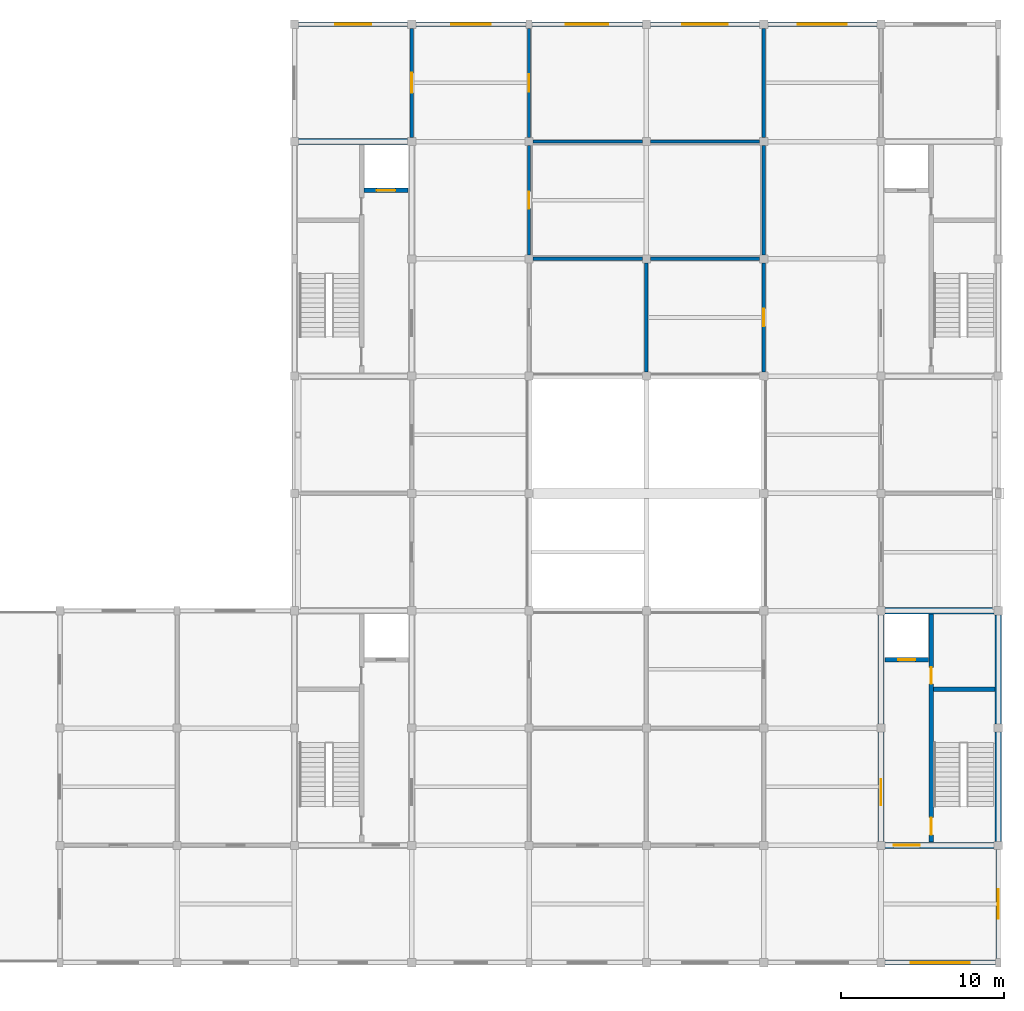
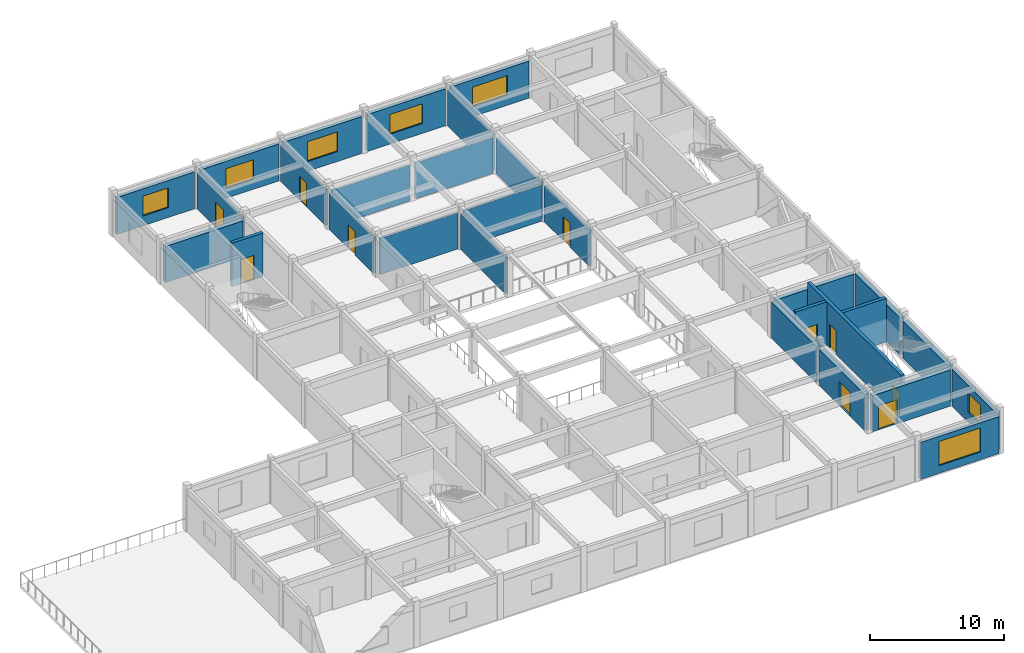
# One storey, part 5 of 7: 29 walls, 10 doors, 7 windows, 17 openings.
"""IFC4 building model written with IfcOpenShell, lengths in metres."""

from ifc_helpers import new_model, si_unit, direction, frame, frame_2d, origin, place, context, subcontext, project, spatial, rectangle, extrude, material, layer, layer_set, type_object, element, fill, save


model = new_model("IFC4")

# Units and contexts
model_context = context("Model", 3, precision=1e-05, world=origin(), true_north=direction((0.0, 1.0)))
body_context = subcontext(model_context, "Body", "Model", "MODEL_VIEW")
ifc_project = project(units=[si_unit("LENGTHUNIT", "METRE"), si_unit("AREAUNIT", "SQUARE_METRE"), si_unit("VOLUMEUNIT", "CUBIC_METRE"), si_unit("PLANEANGLEUNIT", "RADIAN"), si_unit("MASSUNIT", "GRAM", prefix="KILO")], contexts=[model_context])

# Site, building, storey
site_placement = place(None, origin())
site = spatial("IfcSite", under=ifc_project, at=site_placement, CompositionType="ELEMENT")
building_placement = place(site_placement, origin())
building = spatial("IfcBuilding", under=site, at=building_placement, Name="Cendaluz Park School", CompositionType="ELEMENT")
storey_placement = place(building_placement, frame((0.0, 0.0, 46.800048828125)))
storey = spatial("IfcBuildingStorey", under=building, at=storey_placement, Name="L11", CompositionType="ELEMENT", Elevation=46.800048828125)

# Walls
ifc_material_1 = material(Name="Gypsum Plasterboard on Cold-Formed Stud", Category="gypsum")
ifc_layer_1 = layer(ifc_material_1, 0.199951171875)
ifc_layer_set_1 = layer_set([ifc_layer_1], Name="Gypsum Plasterboard on Cold-Formed Stud")
wall_type_1 = type_object("IfcWallType", Name="W-AC20", PredefinedType="PARTITIONING", material=ifc_layer_set_1)
for number, where, z_axis, x_axis, name in (
    (1, (79.449951171875, 50.39990234375, 0.0), (0.0, 0.0, 1.0), (1.0, 0.0, 0.0), "WL-FL-BK2"),
    (2, (79.449951171875, 57.60009765625, 0.0), (0.0, 0.0, 1.0), (1.0, 0.0, 0.0), "WL-FL-BK3"),
):
    element("IfcWall", number, at=place(storey_placement, frame(where, z_axis=z_axis, x_axis=x_axis)), inside=storey, type_object=wall_type_1, Name=name, PredefinedType="PARTITIONING", context=body_context, shape_type="SweptSolid", body=[
        extrude(rectangle(XDim=6.699951171875, YDim=0.199951171875, at=frame_2d((3.35009765625, 0.0))), origin(), (0.0, 0.0, 1.0), 3.2900390625),
    ])

# Wall, opening, door
wall_1_placement = place(storey_placement, frame((79.199951171875, 50.64990234375, 0.0), z_axis=(0.0, 0.0, 1.0), x_axis=(0.0, 1.0, 0.0)))
wall_1 = element("IfcWall", 3, at=wall_1_placement, inside=storey, type_object=wall_type_1, Name="WL-FL-BK4", PredefinedType="PARTITIONING", context=body_context, shape_type="SweptSolid", body=[
    extrude(rectangle(XDim=6.7001953125, YDim=0.199951171875, at=frame_2d((3.35009765625, 0.0))), origin(), (0.0, 0.0, 1.0), 3.2900390625),
])
opening_1_placement = place(wall_1_placement, frame((2.830078125, 0.0, 0.0)))
opening_1 = element("IfcOpeningElement", 4, at=opening_1_placement, cuts=wall_1, Name="Opening DCL-03", PredefinedType="OPENING", context=body_context, shape_type="SweptSolid", body=[
    extrude(rectangle(XDim=1.0400390625, YDim=2.139892578125, at=frame_2d((0.52001953125, 1.06982421875))), frame((0.0, 0.112060546875, 0.0), z_axis=(0.0, -1.0, 0.0), x_axis=(1.0, 0.0, 0.0)), (0.0, 0.0, 1.0), 0.223876953125),
])
ifc_material_2 = material(Name="Solid Core Hardwood", Category="wood")
door_type_1 = type_object("IfcDoorType", Name="DCL-03", OperationType="NOTDEFINED", PredefinedType="DOOR", material=ifc_material_2)
door_1_placement = place(opening_1_placement, frame((1.0400390625, 0.0, 0.0), z_axis=(0.0, 0.0, 1.0), x_axis=(-1.0, 0.0, 0.0)))
door_1 = element("IfcDoor", 5, at=door_1_placement, inside=storey, type_object=door_type_1, Name="D-L11-020", OperationType="SINGLE_SWING_RIGHT", OverallHeight=2.139892578125, OverallWidth=1.0400390625, PredefinedType="DOOR", context=body_context, shape_type="SweptSolid", body=[
    extrude(rectangle(XDim=1.0400390625, YDim=2.139892578125, at=frame_2d((0.52001953125, 1.06982421875))), frame((0.0, 0.02490234375, 0.0), z_axis=(0.0, -1.0, 0.0), x_axis=(1.0, 0.0, 0.0)), (0.0, 0.0, 1.0), 0.050048828125),
])
fill(opening_1, door_1)

# Walls
for number, where, z_axis, x_axis, name in (
    (6, (86.64990234375, 50.39990234375, 0.0), (0.0, 0.0, 1.0), (1.0, 0.0, 0.0), "WL-FL-BK5"),
    (7, (86.64990234375, 57.60009765625, 0.0), (0.0, 0.0, 1.0), (1.0, 0.0, 0.0), "WL-FL-BK6"),
    (8, (93.60009765625, 50.64990234375, 0.0), (0.0, 0.0, 1.0), (0.0, 1.0, 0.0), "WL-FL-BK7"),
):
    element("IfcWall", number, at=place(storey_placement, frame(where, z_axis=z_axis, x_axis=x_axis)), inside=storey, type_object=wall_type_1, Name=name, PredefinedType="PARTITIONING", context=body_context, shape_type="SweptSolid", body=[
        extrude(rectangle(XDim=6.7001953125, YDim=0.199951171875, at=frame_2d((3.35009765625, 0.0))), origin(), (0.0, 0.0, 1.0), 3.2900390625),
    ])

# Wall, opening, door
wall_2_placement = place(storey_placement, frame((79.199951171875, 57.85009765625, 0.0), z_axis=(0.0, 0.0, 1.0), x_axis=(0.0, 1.0, 0.0)))
wall_2 = element("IfcWall", 9, at=wall_2_placement, inside=storey, type_object=wall_type_1, Name="WL-FL-BK8", PredefinedType="PARTITIONING", context=body_context, shape_type="SweptSolid", body=[
    extrude(rectangle(XDim=6.68994140625, YDim=0.199951171875, at=frame_2d((3.344970703125, 0.0))), origin(), (0.0, 0.0, 1.0), 3.2900390625),
])
opening_2_placement = place(wall_2_placement, frame((2.81494140625, 0.0, 0.0)))
opening_2 = element("IfcOpeningElement", 10, at=opening_2_placement, cuts=wall_2, Name="Opening DCL-04", PredefinedType="OPENING", context=body_context, shape_type="SweptSolid", body=[
    extrude(rectangle(XDim=1.06005859375, YDim=2.159912109375, at=frame_2d((0.530029296875, 1.080078125))), frame((0.0, 0.112060546875, 0.0), z_axis=(0.0, -1.0, 0.0), x_axis=(1.0, 0.0, 0.0)), (0.0, 0.0, 1.0), 0.223876953125),
])
door_type_2 = type_object("IfcDoorType", Name="DCL-04", OperationType="NOTDEFINED", PredefinedType="DOOR", material=ifc_material_2)
door_2_placement = place(opening_2_placement, frame((1.06005859375, 0.0, 0.0), z_axis=(0.0, 0.0, 1.0), x_axis=(-1.0, 0.0, 0.0)))
door_2 = element("IfcDoor", 11, at=door_2_placement, inside=storey, type_object=door_type_2, Name="D-L11-021", OperationType="SINGLE_SWING_LEFT", OverallHeight=2.159912109375, OverallWidth=1.06005859375, PredefinedType="DOOR", context=body_context, shape_type="SweptSolid", body=[
    extrude(rectangle(XDim=1.06005859375, YDim=2.159912109375, at=frame_2d((0.530029296875, 1.080078125))), frame((0.0, 0.02490234375, 0.0), z_axis=(0.0, -1.0, 0.0), x_axis=(1.0, 0.0, 0.0)), (0.0, 0.0, 1.0), 0.050048828125),
])
fill(opening_2, door_2)

# Wall
wall_3_placement = place(storey_placement, frame((93.60009765625, 57.85009765625, 0.0), z_axis=(0.0, 0.0, 1.0), x_axis=(0.0, 1.0, 0.0)))
element("IfcWall", 12, at=wall_3_placement, inside=storey, type_object=wall_type_1, Name="WL-FL-BK9", PredefinedType="PARTITIONING", context=body_context, shape_type="SweptSolid", body=[
    extrude(rectangle(XDim=6.699951171875, YDim=0.199951171875, at=frame_2d((3.35009765625, 0.0))), origin(), (0.0, 0.0, 1.0), 3.2900390625),
])

# Wall, opening, door
wall_4_placement = place(storey_placement, frame((72.0, 57.85009765625, 0.0), z_axis=(0.0, 0.0, 1.0), x_axis=(0.0, 1.0, 0.0)))
wall_4 = element("IfcWall", 13, at=wall_4_placement, inside=storey, type_object=wall_type_1, Name="WL-FL-BL7", PredefinedType="PARTITIONING", context=body_context, shape_type="SweptSolid", body=[
    extrude(rectangle(XDim=6.699951171875, YDim=0.199951171875, at=frame_2d((3.35009765625, 0.0))), origin(), (0.0, 0.0, 1.0), 3.2900390625),
])
opening_3_placement = place(wall_4_placement, frame((2.72998046875, 0.0, 0.0)))
opening_3 = element("IfcOpeningElement", 14, at=opening_3_placement, cuts=wall_4, Name="Opening DCL-09", PredefinedType="OPENING", context=body_context, shape_type="SweptSolid", body=[
    extrude(rectangle(XDim=1.239990234375, YDim=2.260009765625, at=frame_2d((0.6201171875, 1.1298828125))), frame((0.0, 0.112060546875, 0.0), z_axis=(0.0, -1.0, 0.0), x_axis=(1.0, 0.0, 0.0)), (0.0, 0.0, 1.0), 0.223876953125),
])
door_type_3 = type_object("IfcDoorType", Name="DCL-09", OperationType="NOTDEFINED", PredefinedType="DOOR", material=ifc_material_2)
door_3_placement = place(opening_3_placement, origin())
door_3 = element("IfcDoor", 15, at=door_3_placement, inside=storey, type_object=door_type_3, Name="D-L11-026", OperationType="SINGLE_SWING_RIGHT", OverallHeight=2.260009765625, OverallWidth=1.239990234375, PredefinedType="DOOR", context=body_context, shape_type="SweptSolid", body=[
    extrude(rectangle(XDim=1.239990234375, YDim=2.260009765625, at=frame_2d((0.6201171875, 1.1298828125))), frame((0.0, 0.02490234375, 0.0), z_axis=(0.0, -1.0, 0.0), x_axis=(1.0, 0.0, 0.0)), (0.0, 0.0, 1.0), 0.050048828125),
])
fill(opening_3, door_3)

# Wall
wall_5_placement = place(storey_placement, frame((86.39990234375, 43.449951171875, 0.0), z_axis=(0.0, 0.0, 1.0), x_axis=(0.0, 1.0, 0.0)))
element("IfcWall", 16, at=wall_5_placement, inside=storey, type_object=wall_type_1, Name="WL-FL-BM5", PredefinedType="PARTITIONING", context=body_context, shape_type="SweptSolid", body=[
    extrude(rectangle(XDim=6.699951171875, YDim=0.199951171875, at=frame_2d((3.35009765625, 0.0))), origin(), (0.0, 0.0, 1.0), 3.2900390625),
])

# Wall, opening, door
wall_6_placement = place(storey_placement, frame((93.60009765625, 43.449951171875, 0.0), z_axis=(0.0, 0.0, 1.0), x_axis=(0.0, 1.0, 0.0)))
wall_6 = element("IfcWall", 17, at=wall_6_placement, inside=storey, type_object=wall_type_1, Name="WL-FL-BN0", PredefinedType="PARTITIONING", context=body_context, shape_type="SweptSolid", body=[
    extrude(rectangle(XDim=6.699951171875, YDim=0.199951171875, at=frame_2d((3.35009765625, 0.0))), origin(), (0.0, 0.0, 1.0), 3.2900390625),
])
opening_4_placement = place(wall_6_placement, frame((2.81005859375, 0.0, 0.0)))
opening_4 = element("IfcOpeningElement", 18, at=opening_4_placement, cuts=wall_6, Name="Opening DCL-05", PredefinedType="OPENING", context=body_context, shape_type="SweptSolid", body=[
    extrude(rectangle(XDim=1.080078125, YDim=2.179931640625, at=frame_2d((0.5400390625, 1.08984375))), frame((0.0, 0.112060546875, 0.0), z_axis=(0.0, -1.0, 0.0), x_axis=(1.0, 0.0, 0.0)), (0.0, 0.0, 1.0), 0.223876953125),
])
door_type_4 = type_object("IfcDoorType", Name="DCL-05", OperationType="NOTDEFINED", PredefinedType="DOOR", material=ifc_material_2)
door_4_placement = place(opening_4_placement, origin())
door_4 = element("IfcDoor", 19, at=door_4_placement, inside=storey, type_object=door_type_4, Name="D-L11-032", OperationType="SINGLE_SWING_RIGHT", OverallHeight=2.179931640625, OverallWidth=1.080078125, PredefinedType="DOOR", context=body_context, shape_type="SweptSolid", body=[
    extrude(rectangle(XDim=1.080078125, YDim=2.179931640625, at=frame_2d((0.5400390625, 1.08984375))), frame((0.0, 0.02490234375, 0.0), z_axis=(0.0, -1.0, 0.0), x_axis=(1.0, 0.0, 0.0)), (0.0, 0.0, 1.0), 0.050048828125),
])
fill(opening_4, door_4)

# Wall, opening, window
ifc_material_3 = material(Name="Cross-laminated timber CLT C24", Category="wood")
ifc_layer_2 = layer(ifc_material_3, 0.300048828125)
ifc_layer_set_2 = layer_set([ifc_layer_2], Name="Cross-laminated timber CLT C24")
wall_type_2 = type_object("IfcWallType", Name="W-EX30", PredefinedType="SOLIDWALL", material=ifc_layer_set_2)
wall_7_placement = place(storey_placement, frame((65.050048828125, 64.800048828125, 0.0), z_axis=(0.0, 0.0, 1.0), x_axis=(1.0, 0.0, 0.0)))
wall_7 = element("IfcWall", 20, at=wall_7_placement, inside=storey, type_object=wall_type_2, Name="WL-FL-AB0", PredefinedType="SOLIDWALL", context=body_context, shape_type="SweptSolid", body=[
    extrude(rectangle(XDim=6.699951171875, YDim=0.300048828125, at=frame_2d((3.35009765625, 0.0))), origin(), (0.0, 0.0, 1.0), 3.369873046875),
])
opening_5_placement = place(wall_7_placement, frame((2.25, 0.0, 0.89990234375)))
opening_5 = element("IfcOpeningElement", 21, at=opening_5_placement, cuts=wall_7, Name="Opening WN-03", PredefinedType="OPENING", context=body_context, shape_type="SweptSolid", body=[
    extrude(rectangle(XDim=2.199951171875, YDim=1.800048828125, at=frame_2d((1.10009765625, 0.89990234375))), frame((0.0, 0.162109375, 0.0), z_axis=(0.0, -1.0, 0.0), x_axis=(1.0, 0.0, 0.0)), (0.0, 0.0, 1.0), 0.323974609375),
])
ifc_material_4 = material(Name="Tempered Low-E Double Glazing", Category="glass")
window_type_1 = type_object("IfcWindowType", Name="WN-03", PartitioningType="SINGLE_PANEL", PredefinedType="WINDOW", material=ifc_material_4)
window_1_placement = place(opening_5_placement, origin())
window_1 = element("IfcWindow", 22, at=window_1_placement, inside=storey, type_object=window_type_1, Name="WN-L11-008", OverallHeight=1.800048828125, OverallWidth=2.199951171875, PartitioningType="SINGLE_PANEL", PredefinedType="WINDOW", context=body_context, shape_type="SweptSolid", body=[
    extrude(rectangle(XDim=2.199951171875, YDim=1.800048828125, at=frame_2d((1.10009765625, 0.89990234375))), frame((0.0, 0.030029296875, 0.0), z_axis=(0.0, -1.0, 0.0), x_axis=(1.0, 0.0, 0.0)), (0.0, 0.0, 1.0), 0.06005859375),
])
fill(opening_5, window_1)

wall_8_placement = place(storey_placement, frame((72.25, 64.800048828125, 0.0), z_axis=(0.0, 0.0, 1.0), x_axis=(1.0, 0.0, 0.0)))
wall_8 = element("IfcWall", 23, at=wall_8_placement, inside=storey, type_object=wall_type_2, Name="WL-FL-AB3", PredefinedType="SOLIDWALL", context=body_context, shape_type="SweptSolid", body=[
    extrude(rectangle(XDim=6.77001953125, YDim=0.300048828125, at=frame_2d((3.385009765625, 0.0))), origin(), (0.0, 0.0, 1.0), 3.369873046875),
])
opening_6_placement = place(wall_8_placement, frame((2.18505859375, 0.0, 0.89990234375)))
opening_6 = element("IfcOpeningElement", 24, at=opening_6_placement, cuts=wall_8, Name="Opening WN-04", PredefinedType="OPENING", context=body_context, shape_type="SweptSolid", body=[
    extrude(rectangle(XDim=2.39990234375, YDim=1.800048828125, at=frame_2d((1.199951171875, 0.89990234375))), frame((0.0, 0.162109375, 0.0), z_axis=(0.0, -1.0, 0.0), x_axis=(1.0, 0.0, 0.0)), (0.0, 0.0, 1.0), 0.323974609375),
])
window_type_2 = type_object("IfcWindowType", Name="WN-04", PartitioningType="SINGLE_PANEL", PredefinedType="WINDOW", material=ifc_material_4)
window_2_placement = place(opening_6_placement, origin())
window_2 = element("IfcWindow", 25, at=window_2_placement, inside=storey, type_object=window_type_2, Name="WN-L11-011", OverallHeight=1.800048828125, OverallWidth=2.39990234375, PartitioningType="SINGLE_PANEL", PredefinedType="WINDOW", context=body_context, shape_type="SweptSolid", body=[
    extrude(rectangle(XDim=2.39990234375, YDim=1.800048828125, at=frame_2d((1.199951171875, 0.89990234375))), frame((0.0, 0.030029296875, 0.0), z_axis=(0.0, -1.0, 0.0), x_axis=(1.0, 0.0, 0.0)), (0.0, 0.0, 1.0), 0.06005859375),
])
fill(opening_6, window_2)

wall_9_placement = place(storey_placement, frame((79.3798828125, 64.800048828125, 0.0), z_axis=(0.0, 0.0, 1.0), x_axis=(1.0, 0.0, 0.0)))
wall_9 = element("IfcWall", 26, at=wall_9_placement, inside=storey, type_object=wall_type_2, Name="WL-FL-AB5", PredefinedType="SOLIDWALL", context=body_context, shape_type="SweptSolid", body=[
    extrude(rectangle(XDim=6.77001953125, YDim=0.300048828125, at=frame_2d((3.385009765625, 0.0))), origin(), (0.0, 0.0, 1.0), 3.369873046875),
])
opening_7_placement = place(wall_9_placement, frame((2.0849609375, 0.0, 0.89990234375)))
opening_7 = element("IfcOpeningElement", 27, at=opening_7_placement, cuts=wall_9, Name="Opening WN-05", PredefinedType="OPENING", context=body_context, shape_type="SweptSolid", body=[
    extrude(rectangle(XDim=2.60009765625, YDim=1.800048828125, at=frame_2d((1.300048828125, 0.89990234375))), frame((0.0, 0.162109375, 0.0), z_axis=(0.0, -1.0, 0.0), x_axis=(1.0, 0.0, 0.0)), (0.0, 0.0, 1.0), 0.323974609375),
])
window_type_3 = type_object("IfcWindowType", Name="WN-05", PartitioningType="SINGLE_PANEL", PredefinedType="WINDOW", material=ifc_material_4)
window_3_placement = place(opening_7_placement, origin())
window_3 = element("IfcWindow", 28, at=window_3_placement, inside=storey, type_object=window_type_3, Name="WN-L11-013", OverallHeight=1.800048828125, OverallWidth=2.60009765625, PartitioningType="SINGLE_PANEL", PredefinedType="WINDOW", context=body_context, shape_type="SweptSolid", body=[
    extrude(rectangle(XDim=2.60009765625, YDim=1.800048828125, at=frame_2d((1.300048828125, 0.89990234375))), frame((0.0, 0.030029296875, 0.0), z_axis=(0.0, -1.0, 0.0), x_axis=(1.0, 0.0, 0.0)), (0.0, 0.0, 1.0), 0.06005859375),
])
fill(opening_7, window_3)

wall_10_placement = place(storey_placement, frame((86.64990234375, 64.800048828125, 0.0), z_axis=(0.0, 0.0, 1.0), x_axis=(1.0, 0.0, 0.0)))
wall_10 = element("IfcWall", 29, at=wall_10_placement, inside=storey, type_object=wall_type_2, Name="WL-FL-AB7", PredefinedType="SOLIDWALL", context=body_context, shape_type="SweptSolid", body=[
    extrude(rectangle(XDim=6.7001953125, YDim=0.300048828125, at=frame_2d((3.35009765625, 0.0))), origin(), (0.0, 0.0, 1.0), 3.369873046875),
])
opening_8_placement = place(wall_10_placement, frame((1.949951171875, 0.0, 0.89990234375)))
opening_8 = element("IfcOpeningElement", 30, at=opening_8_placement, cuts=wall_10, Name="Opening WN-06", PredefinedType="OPENING", context=body_context, shape_type="SweptSolid", body=[
    extrude(rectangle(XDim=2.800048828125, YDim=1.800048828125, at=frame_2d((1.39990234375, 0.89990234375))), frame((0.0, 0.162109375, 0.0), z_axis=(0.0, -1.0, 0.0), x_axis=(1.0, 0.0, 0.0)), (0.0, 0.0, 1.0), 0.323974609375),
])
window_type_4 = type_object("IfcWindowType", Name="WN-06", PartitioningType="SINGLE_PANEL", PredefinedType="WINDOW", material=ifc_material_4)
window_4_placement = place(opening_8_placement, origin())
window_4 = element("IfcWindow", 31, at=window_4_placement, inside=storey, type_object=window_type_4, Name="WN-L11-015", OverallHeight=1.800048828125, OverallWidth=2.800048828125, PartitioningType="SINGLE_PANEL", PredefinedType="WINDOW", context=body_context, shape_type="SweptSolid", body=[
    extrude(rectangle(XDim=2.800048828125, YDim=1.800048828125, at=frame_2d((1.39990234375, 0.89990234375))), frame((0.0, 0.030029296875, 0.0), z_axis=(0.0, -1.0, 0.0), x_axis=(1.0, 0.0, 0.0)), (0.0, 0.0, 1.0), 0.06005859375),
])
fill(opening_8, window_4)

wall_11_placement = place(storey_placement, frame((93.85009765625, 64.800048828125, 0.0), z_axis=(0.0, 0.0, 1.0), x_axis=(1.0, 0.0, 0.0)))
wall_11 = element("IfcWall", 32, at=wall_11_placement, inside=storey, type_object=wall_type_2, Name="WL-FL-AB9", PredefinedType="SOLIDWALL", context=body_context, shape_type="SweptSolid", body=[
    extrude(rectangle(XDim=6.699951171875, YDim=0.300048828125, at=frame_2d((3.35009765625, 0.0))), origin(), (0.0, 0.0, 1.0), 3.369873046875),
])
opening_9_placement = place(wall_11_placement, frame((1.85009765625, 0.0, 0.89990234375)))
opening_9 = element("IfcOpeningElement", 33, at=opening_9_placement, cuts=wall_11, Name="Opening WN-07", PredefinedType="OPENING", context=body_context, shape_type="SweptSolid", body=[
    extrude(rectangle(XDim=3.0, YDim=1.800048828125, at=frame_2d((1.5, 0.89990234375))), frame((0.0, 0.162109375, 0.0), z_axis=(0.0, -1.0, 0.0), x_axis=(1.0, 0.0, 0.0)), (0.0, 0.0, 1.0), 0.323974609375),
])
window_type_5 = type_object("IfcWindowType", Name="WN-07", PartitioningType="SINGLE_PANEL", PredefinedType="WINDOW", material=ifc_material_4)
window_5_placement = place(opening_9_placement, origin())
window_5 = element("IfcWindow", 34, at=window_5_placement, inside=storey, type_object=window_type_5, Name="WN-L11-017", OverallHeight=1.800048828125, OverallWidth=3.0, PartitioningType="SINGLE_PANEL", PredefinedType="WINDOW", context=body_context, shape_type="SweptSolid", body=[
    extrude(rectangle(XDim=3.0, YDim=1.800048828125, at=frame_2d((1.5, 0.89990234375))), frame((0.0, 0.030029296875, 0.0), z_axis=(0.0, -1.0, 0.0), x_axis=(1.0, 0.0, 0.0)), (0.0, 0.0, 1.0), 0.06005859375),
])
fill(opening_9, window_5)

wall_12_placement = place(storey_placement, frame((101.050048828125, 7.199951171875, 0.0), z_axis=(0.0, 0.0, 1.0), x_axis=(1.0, 0.0, 0.0)))
wall_12 = element("IfcWall", 35, at=wall_12_placement, inside=storey, type_object=wall_type_2, Name="WL-FL-AC0", PredefinedType="SOLIDWALL", context=body_context, shape_type="SweptSolid", body=[
    extrude(rectangle(XDim=6.77001953125, YDim=0.300048828125, at=frame_2d((3.385009765625, 0.0))), origin(), (0.0, 0.0, 1.0), 3.369873046875),
])
opening_10_placement = place(wall_12_placement, frame((1.5849609375, 0.0, 0.699951171875)))
opening_10 = element("IfcOpeningElement", 36, at=opening_10_placement, cuts=wall_12, Name="Opening WN-26", PredefinedType="OPENING", context=body_context, shape_type="SweptSolid", body=[
    extrude(rectangle(XDim=3.60009765625, YDim=2.199951171875, at=frame_2d((1.800048828125, 1.10009765625))), frame((0.0, 0.162109375, 0.0), z_axis=(0.0, -1.0, 0.0), x_axis=(1.0, 0.0, 0.0)), (0.0, 0.0, 1.0), 0.323974609375),
])
window_type_6 = type_object("IfcWindowType", Name="WN-26", PartitioningType="SINGLE_PANEL", PredefinedType="WINDOW", material=ifc_material_4)
window_6_placement = place(opening_10_placement, origin())
window_6 = element("IfcWindow", 37, at=window_6_placement, inside=storey, type_object=window_type_6, Name="WN-L11-018", OverallHeight=2.199951171875, OverallWidth=3.60009765625, PartitioningType="SINGLE_PANEL", PredefinedType="WINDOW", context=body_context, shape_type="SweptSolid", body=[
    extrude(rectangle(XDim=3.60009765625, YDim=2.199951171875, at=frame_2d((1.800048828125, 1.10009765625))), frame((0.0, 0.030029296875, 0.0), z_axis=(0.0, -1.0, 0.0), x_axis=(1.0, 0.0, 0.0)), (0.0, 0.0, 1.0), 0.06005859375),
])
fill(opening_10, window_6)

wall_13_placement = place(storey_placement, frame((108.0, 7.4599609375, 0.0), z_axis=(0.0, 0.0, 1.0), x_axis=(0.0, 1.0, 0.0)))
wall_13 = element("IfcWall", 38, at=wall_13_placement, inside=storey, type_object=wall_type_2, Name="WL-FL-AC1", PredefinedType="SOLIDWALL", context=body_context, shape_type="SweptSolid", body=[
    extrude(rectangle(XDim=6.68994140625, YDim=0.300048828125, at=frame_2d((3.344970703125, 0.0))), origin(), (0.0, 0.0, 1.0), 3.369873046875),
])
opening_11_placement = place(wall_13_placement, frame((2.445068359375, 0.0, 0.89990234375)))
opening_11 = element("IfcOpeningElement", 39, at=opening_11_placement, cuts=wall_13, Name="Opening WN-01", PredefinedType="OPENING", context=body_context, shape_type="SweptSolid", body=[
    extrude(rectangle(XDim=1.800048828125, YDim=1.800048828125, at=frame_2d((0.89990234375, 0.89990234375))), frame((0.0, 0.162109375, 0.0), z_axis=(0.0, -1.0, 0.0), x_axis=(1.0, 0.0, 0.0)), (0.0, 0.0, 1.0), 0.323974609375),
])
window_type_7 = type_object("IfcWindowType", Name="WN-01", PartitioningType="SINGLE_PANEL", PredefinedType="WINDOW", material=ifc_material_4)
window_7_placement = place(opening_11_placement, origin())
window_7 = element("IfcWindow", 40, at=window_7_placement, inside=storey, type_object=window_type_7, Name="WN-L11-019", OverallHeight=1.800048828125, OverallWidth=1.800048828125, PartitioningType="SINGLE_PANEL", PredefinedType="WINDOW", context=body_context, shape_type="SweptSolid", body=[
    extrude(rectangle(XDim=1.800048828125, YDim=1.800048828125, at=frame_2d((0.89990234375, 0.89990234375))), frame((0.0, 0.030029296875, 0.0), z_axis=(0.0, -1.0, 0.0), x_axis=(1.0, 0.0, 0.0)), (0.0, 0.0, 1.0), 0.06005859375),
])
fill(opening_11, window_7)

# Wall, openings, doors
ifc_material_5 = material(Name="Concrete C40/50", Category="concrete")
ifc_layer_3 = layer(ifc_material_5, 0.280029296875)
ifc_layer_set_3 = layer_set([ifc_layer_3], Name="Concrete C40/50")
wall_type_3 = type_object("IfcWallType", Name="W-FW28", PredefinedType="SHEAR", material=ifc_layer_set_3)
wall_14_placement = place(storey_placement, frame((103.8798828125, 14.60009765625, 0.0), z_axis=(0.0, 0.0, 1.0), x_axis=(0.0, 1.0, 0.0)))
wall_14 = element("IfcWall", 41, at=wall_14_placement, inside=storey, type_object=wall_type_3, Name="WL-FL-BI1", PredefinedType="SHEAR", context=body_context, shape_type="SweptSolid", body=[
    extrude(rectangle(XDim=14.0, YDim=0.280029296875, at=frame_2d((7.0, 0.0))), origin(), (0.0, 0.0, 1.0), 3.969970703125),
])
opening_12_placement = place(wall_14_placement, frame((0.449951171875, 0.0, 0.0)))
opening_12 = element("IfcOpeningElement", 42, at=opening_12_placement, cuts=wall_14, Name="Opening DST-02", PredefinedType="OPENING", context=body_context, shape_type="SweptSolid", body=[
    extrude(rectangle(XDim=1.050048828125, YDim=2.14990234375, at=frame_2d((0.52490234375, 1.074951171875))), frame((0.0, 0.152099609375, 0.0), z_axis=(0.0, -1.0, 0.0), x_axis=(1.0, 0.0, 0.0)), (0.0, 0.0, 1.0), 0.303955078125),
])
opening_13_placement = place(wall_14_placement, frame((9.719970703125, 0.0, 0.0)))
opening_13 = element("IfcOpeningElement", 43, at=opening_13_placement, cuts=wall_14, Name="Opening DFC-01", PredefinedType="OPENING", context=body_context, shape_type="SweptSolid", body=[
    extrude(rectangle(XDim=1.0, YDim=2.14990234375, at=frame_2d((0.5, 1.074951171875))), frame((0.0, 0.152099609375, 0.0), z_axis=(0.0, -1.0, 0.0), x_axis=(1.0, 0.0, 0.0)), (0.0, 0.0, 1.0), 0.303955078125),
])
door_type_5 = type_object("IfcDoorType", Name="DFC-01", OperationType="NOTDEFINED", PredefinedType="DOOR", material=ifc_material_2)
door_5_placement = place(opening_13_placement, frame((1.0, 0.0, 0.0), z_axis=(0.0, 0.0, 1.0), x_axis=(-1.0, 0.0, 0.0)))
door_5 = element("IfcDoor", 44, at=door_5_placement, inside=storey, type_object=door_type_5, Name="D-L11-010", OperationType="SINGLE_SWING_LEFT", OverallHeight=2.14990234375, OverallWidth=1.0, PredefinedType="DOOR", context=body_context, shape_type="SweptSolid", body=[
    extrude(rectangle(XDim=1.0, YDim=2.14990234375, at=frame_2d((0.5, 1.074951171875))), frame((0.0, 0.02490234375, 0.0), z_axis=(0.0, -1.0, 0.0), x_axis=(1.0, 0.0, 0.0)), (0.0, 0.0, 1.0), 0.050048828125),
])
fill(opening_13, door_5)
door_type_6 = type_object("IfcDoorType", Name="DST-02", OperationType="NOTDEFINED", PredefinedType="DOOR", material=ifc_material_2)
door_6_placement = place(opening_12_placement, frame((1.050048828125, 0.0, 0.0), z_axis=(0.0, 0.0, 1.0), x_axis=(-1.0, 0.0, 0.0)))
door_6 = element("IfcDoor", 45, at=door_6_placement, inside=storey, type_object=door_type_6, Name="D-L11-009", OperationType="SINGLE_SWING_RIGHT", OverallHeight=2.14990234375, OverallWidth=1.050048828125, PredefinedType="DOOR", context=body_context, shape_type="SweptSolid", body=[
    extrude(rectangle(XDim=1.050048828125, YDim=2.14990234375, at=frame_2d((0.52490234375, 1.074951171875))), frame((0.0, 0.02490234375, 0.0), z_axis=(0.0, -1.0, 0.0), x_axis=(1.0, 0.0, 0.0)), (0.0, 0.0, 1.0), 0.050048828125),
])
fill(opening_12, door_6)

# Wall
wall_15_placement = place(storey_placement, frame((104.02001953125, 23.97998046875, 0.0), z_axis=(0.0, 0.0, 1.0), x_axis=(1.0, 0.0, 0.0)))
element("IfcWall", 46, at=wall_15_placement, inside=storey, type_object=wall_type_3, Name="WL-FL-BI2", PredefinedType="SHEAR", context=body_context, shape_type="SweptSolid", body=[
    extrude(rectangle(XDim=3.780029296875, YDim=0.280029296875, at=frame_2d((1.89013671875, 0.0))), origin(), (0.0, 0.0, 1.0), 3.969970703125),
])

# Wall, opening, door
wall_16_placement = place(storey_placement, frame((101.0400390625, 25.800048828125, 0.0), z_axis=(0.0, 0.0, 1.0), x_axis=(1.0, 0.0, 0.0)))
wall_16 = element("IfcWall", 47, at=wall_16_placement, inside=storey, type_object=wall_type_3, Name="WL-FL-BI3", PredefinedType="SHEAR", context=body_context, shape_type="SweptSolid", body=[
    extrude(rectangle(XDim=2.679931640625, YDim=0.280029296875, at=frame_2d((1.33984375, 0.0))), origin(), (0.0, 0.0, 1.0), 3.969970703125),
])
opening_14_placement = place(wall_16_placement, frame((0.81494140625, 0.0, 0.0)))
opening_14 = element("IfcOpeningElement", 48, at=opening_14_placement, cuts=wall_16, Name="Opening LD-02", PredefinedType="OPENING", context=body_context, shape_type="SweptSolid", body=[
    extrude(rectangle(XDim=1.050048828125, YDim=2.199951171875, at=frame_2d((0.52490234375, 1.10009765625))), frame((0.0, 0.152099609375, 0.0), z_axis=(0.0, -1.0, 0.0), x_axis=(1.0, 0.0, 0.0)), (0.0, 0.0, 1.0), 0.303955078125),
])
ifc_material_6 = material(Name="Stainless Steel 316L", Category="steel")
door_type_7 = type_object("IfcDoorType", Name="LD-02", OperationType="DOUBLE_DOOR_SLIDING", PredefinedType="DOOR", material=ifc_material_6)
door_7_placement = place(opening_14_placement, frame((1.050048828125, 0.0, 0.0), z_axis=(0.0, 0.0, 1.0), x_axis=(-1.0, 0.0, 0.0)))
door_7 = element("IfcDoor", 49, at=door_7_placement, inside=storey, type_object=door_type_7, Name="D-L11-011", OperationType="DOUBLE_DOOR_SLIDING", OverallHeight=2.199951171875, OverallWidth=1.050048828125, PredefinedType="DOOR", context=body_context, shape_type="SweptSolid", body=[
    extrude(rectangle(XDim=1.050048828125, YDim=2.199951171875, at=frame_2d((0.52490234375, 1.10009765625))), frame((0.0, 0.02490234375, 0.0), z_axis=(0.0, -1.0, 0.0), x_axis=(1.0, 0.0, 0.0)), (0.0, 0.0, 1.0), 0.050048828125),
])
fill(opening_14, door_7)

wall_17_placement = place(storey_placement, frame((69.080078125, 54.60009765625, 0.0), z_axis=(0.0, 0.0, 1.0), x_axis=(1.0, 0.0, 0.0)))
wall_17 = element("IfcWall", 50, at=wall_17_placement, inside=storey, type_object=wall_type_3, Name="WL-FL-BJ2", PredefinedType="SHEAR", context=body_context, shape_type="SweptSolid", body=[
    extrude(rectangle(XDim=2.679931640625, YDim=0.280029296875, at=frame_2d((1.33984375, 0.0))), origin(), (0.0, 0.0, 1.0), 3.969970703125),
])
opening_15_placement = place(wall_17_placement, frame((0.764892578125, 0.0, 0.0)))
opening_15 = element("IfcOpeningElement", 51, at=opening_15_placement, cuts=wall_17, Name="Opening LD-01", PredefinedType="OPENING", context=body_context, shape_type="SweptSolid", body=[
    extrude(rectangle(XDim=1.14990234375, YDim=2.199951171875, at=frame_2d((0.574951171875, 1.10009765625))), frame((0.0, 0.152099609375, 0.0), z_axis=(0.0, -1.0, 0.0), x_axis=(1.0, 0.0, 0.0)), (0.0, 0.0, 1.0), 0.303955078125),
])
door_type_8 = type_object("IfcDoorType", Name="LD-01", OperationType="DOUBLE_DOOR_SLIDING", PredefinedType="DOOR", material=ifc_material_6)
door_8_placement = place(opening_15_placement, frame((1.14990234375, 0.0, 0.0), z_axis=(0.0, 0.0, 1.0), x_axis=(-1.0, 0.0, 0.0)))
door_8 = element("IfcDoor", 52, at=door_8_placement, inside=storey, type_object=door_type_8, Name="D-L11-015", OperationType="DOUBLE_DOOR_SLIDING", OverallHeight=2.199951171875, OverallWidth=1.14990234375, PredefinedType="DOOR", context=body_context, shape_type="SweptSolid", body=[
    extrude(rectangle(XDim=1.14990234375, YDim=2.199951171875, at=frame_2d((0.574951171875, 1.10009765625))), frame((0.0, 0.02490234375, 0.0), z_axis=(0.0, -1.0, 0.0), x_axis=(1.0, 0.0, 0.0)), (0.0, 0.0, 1.0), 0.050048828125),
])
fill(opening_15, door_8)

ifc_layer_4 = layer(ifc_material_5, 0.3798828125)
ifc_layer_set_4 = layer_set([ifc_layer_4], Name="Concrete C40/50")
wall_type_4 = type_object("IfcWallType", Name="W-SH38", PredefinedType="SHEAR", material=ifc_layer_set_4)
wall_18_placement = place(storey_placement, frame((100.800048828125, 14.64990234375, 0.0), z_axis=(0.0, 0.0, 1.0), x_axis=(0.0, 1.0, 0.0)))
wall_18 = element("IfcWall", 53, at=wall_18_placement, inside=storey, type_object=wall_type_4, Name="WL-FL-BH5", PredefinedType="SHEAR", context=body_context, shape_type="SweptSolid", body=[
    extrude(rectangle(XDim=6.7001953125, YDim=0.3798828125, at=frame_2d((3.35009765625, 0.0))), origin(), (0.0, 0.0, 1.0), 3.2900390625),
])
opening_16_placement = place(wall_18_placement, frame((2.199951171875, 0.0, 0.0)))
opening_16 = element("IfcOpeningElement", 54, at=opening_16_placement, cuts=wall_18, Name="Opening DLB-01", PredefinedType="OPENING", context=body_context, shape_type="SweptSolid", body=[
    extrude(rectangle(XDim=1.60009765625, YDim=2.199951171875, at=frame_2d((0.800048828125, 1.10009765625))), frame((0.0, 0.201904296875, 0.0), z_axis=(0.0, -1.0, 0.0), x_axis=(1.0, 0.0, 0.0)), (0.0, 0.0, 1.0), 0.40380859375),
])
door_type_9 = type_object("IfcDoorType", Name="DLB-01", OperationType="DOUBLE_DOOR_SINGLE_SWING", PredefinedType="DOOR", material=ifc_material_2)
door_9_placement = place(opening_16_placement, frame((1.60009765625, 0.0, 0.0), z_axis=(0.0, 0.0, 1.0), x_axis=(-1.0, 0.0, 0.0)))
door_9 = element("IfcDoor", 55, at=door_9_placement, inside=storey, type_object=door_type_9, Name="D-L11-007", OperationType="DOUBLE_DOOR_SINGLE_SWING", OverallHeight=2.199951171875, OverallWidth=1.60009765625, PredefinedType="DOOR", context=body_context, shape_type="SweptSolid", body=[
    extrude(rectangle(XDim=1.60009765625, YDim=2.199951171875, at=frame_2d((0.800048828125, 1.10009765625))), frame((0.0, 0.02490234375, 0.0), z_axis=(0.0, -1.0, 0.0), x_axis=(1.0, 0.0, 0.0)), (0.0, 0.0, 1.0), 0.050048828125),
])
fill(opening_16, door_9)

# Walls
wall_19_placement = place(storey_placement, frame((100.800048828125, 21.85009765625, 0.0), z_axis=(0.0, 0.0, 1.0), x_axis=(0.0, 1.0, 0.0)))
element("IfcWall", 56, at=wall_19_placement, inside=storey, type_object=wall_type_4, Name="WL-FL-BH6", PredefinedType="SHEAR", context=body_context, shape_type="SweptSolid", body=[
    extrude(rectangle(XDim=6.699951171875, YDim=0.3798828125, at=frame_2d((3.35009765625, 0.0))), origin(), (0.0, 0.0, 1.0), 3.2900390625),
])
wall_20_placement = place(storey_placement, frame((108.0, 14.64990234375, 0.0), z_axis=(0.0, 0.0, 1.0), x_axis=(0.0, 1.0, 0.0)))
element("IfcWall", 57, at=wall_20_placement, inside=storey, type_object=wall_type_4, Name="WL-FL-BH7", PredefinedType="SHEAR", context=body_context, shape_type="SweptSolid", body=[
    extrude(rectangle(XDim=6.7001953125, YDim=0.3798828125, at=frame_2d((3.35009765625, 0.0))), origin(), (0.0, 0.0, 1.0), 3.369873046875),
])
wall_21_placement = place(storey_placement, frame((108.0, 21.85009765625, 0.0), z_axis=(0.0, 0.0, 1.0), x_axis=(0.0, 1.0, 0.0)))
element("IfcWall", 58, at=wall_21_placement, inside=storey, type_object=wall_type_4, Name="WL-FL-BH8", PredefinedType="SHEAR", context=body_context, shape_type="SweptSolid", body=[
    extrude(rectangle(XDim=6.699951171875, YDim=0.3798828125, at=frame_2d((3.35009765625, 0.0))), origin(), (0.0, 0.0, 1.0), 3.369873046875),
])

# Wall, opening, door
wall_22_placement = place(storey_placement, frame((101.050048828125, 14.39990234375, 0.0), z_axis=(0.0, 0.0, 1.0), x_axis=(1.0, 0.0, 0.0)))
wall_22 = element("IfcWall", 59, at=wall_22_placement, inside=storey, type_object=wall_type_4, Name="WL-FL-BH9", PredefinedType="SHEAR", context=body_context, shape_type="SweptSolid", body=[
    extrude(rectangle(XDim=6.699951171875, YDim=0.3798828125, at=frame_2d((3.35009765625, 0.0))), origin(), (0.0, 0.0, 1.0), 3.2900390625),
])
opening_17_placement = place(wall_22_placement, frame((0.530029296875, 0.0, 0.0)))
opening_17 = element("IfcOpeningElement", 60, at=opening_17_placement, cuts=wall_22, Name="Opening DLB-01", PredefinedType="OPENING", context=body_context, shape_type="SweptSolid", body=[
    extrude(rectangle(XDim=1.60009765625, YDim=2.199951171875, at=frame_2d((0.800048828125, 1.10009765625))), frame((0.0, 0.201904296875, 0.0), z_axis=(0.0, -1.0, 0.0), x_axis=(1.0, 0.0, 0.0)), (0.0, 0.0, 1.0), 0.40380859375),
])
door_10_placement = place(opening_17_placement, origin())
door_10 = element("IfcDoor", 61, at=door_10_placement, inside=storey, type_object=door_type_9, Name="D-L11-008", OperationType="DOUBLE_DOOR_SINGLE_SWING", OverallHeight=2.199951171875, OverallWidth=1.60009765625, PredefinedType="DOOR", context=body_context, shape_type="SweptSolid", body=[
    extrude(rectangle(XDim=1.60009765625, YDim=2.199951171875, at=frame_2d((0.800048828125, 1.10009765625))), frame((0.0, 0.02490234375, 0.0), z_axis=(0.0, -1.0, 0.0), x_axis=(1.0, 0.0, 0.0)), (0.0, 0.0, 1.0), 0.050048828125),
])
fill(opening_17, door_10)

# Walls
for number, where, z_axis, x_axis, name in (
    (62, (101.050048828125, 28.800048828125, 0.0), (0.0, 0.0, 1.0), (1.0, 0.0, 0.0), "WL-FL-BI0"),
    (63, (65.050048828125, 57.60009765625, 0.0), (0.0, 0.0, 1.0), (1.0, 0.0, 0.0), "WL-FL-BI9"),
):
    element("IfcWall", number, at=place(storey_placement, frame(where, z_axis=z_axis, x_axis=x_axis)), inside=storey, type_object=wall_type_4, Name=name, PredefinedType="SHEAR", context=body_context, shape_type="SweptSolid", body=[
        extrude(rectangle(XDim=6.699951171875, YDim=0.3798828125, at=frame_2d((3.35009765625, 0.0))), origin(), (0.0, 0.0, 1.0), 3.2900390625),
    ])

save(model, "model.ifc")
